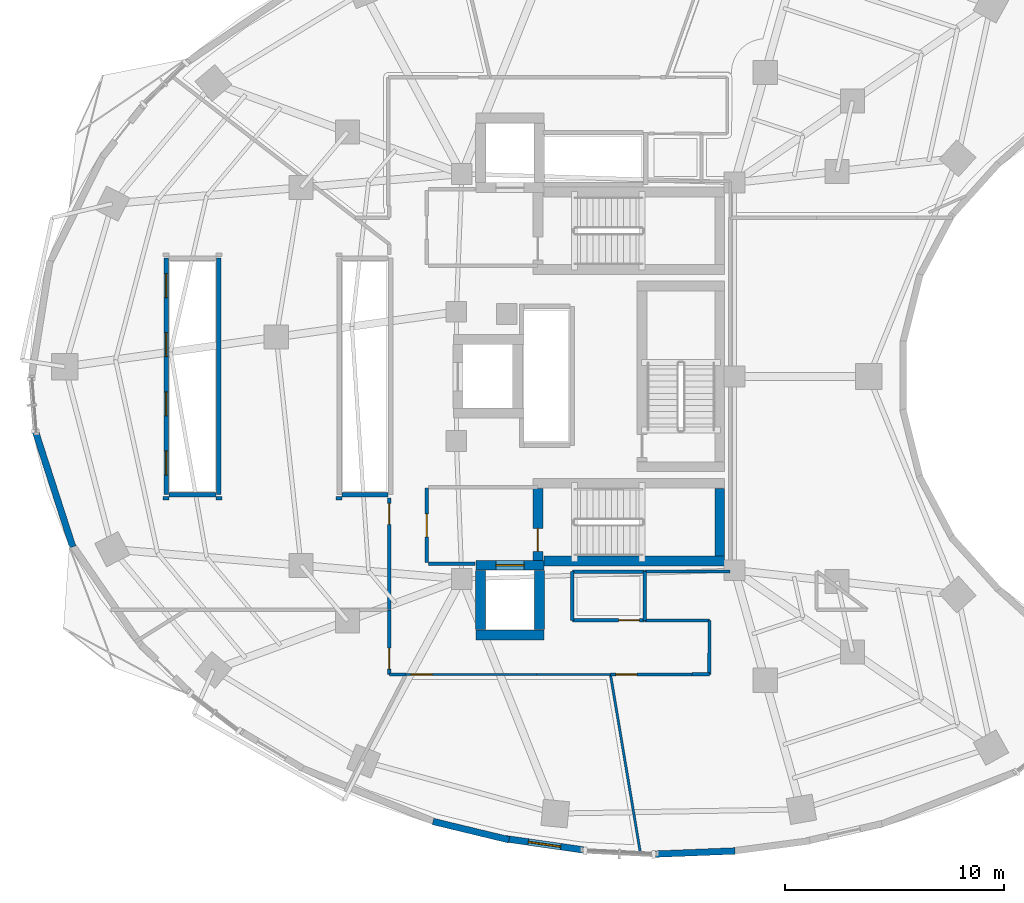
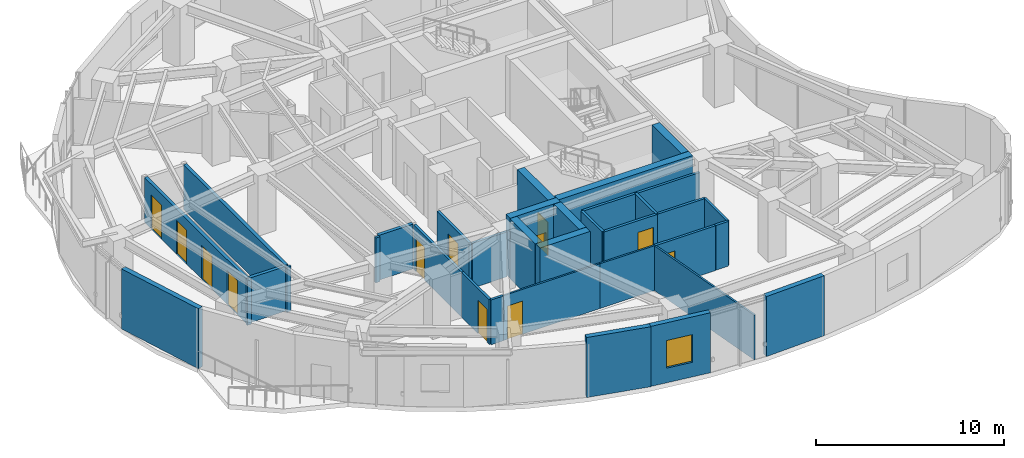
# One storey, part 8 of 14: 35 walls, 12 doors, 1 window, 13 openings.
"""IFC4 building model written with IfcOpenShell, lengths in metres."""

from ifc_helpers import new_model, si_unit, direction, frame, frame_2d, origin, place, context, subcontext, project, spatial, rectangle, extrude, material, layer, layer_set, type_object, element, fill, save


model = new_model("IFC4")

# Units and contexts
model_context = context("Model", 3, precision=1e-05, world=origin(), true_north=direction((0.0, 1.0)))
body_context = subcontext(model_context, "Body", "Model", "MODEL_VIEW")
ifc_project = project(units=[si_unit("LENGTHUNIT", "METRE"), si_unit("AREAUNIT", "SQUARE_METRE"), si_unit("VOLUMEUNIT", "CUBIC_METRE"), si_unit("PLANEANGLEUNIT", "RADIAN"), si_unit("MASSUNIT", "GRAM", prefix="KILO")], contexts=[model_context])

# Site, building, storey
site_placement = place(None, origin())
site = spatial("IfcSite", under=ifc_project, at=site_placement, CompositionType="ELEMENT")
building_placement = place(site_placement, origin())
building = spatial("IfcBuilding", under=site, at=building_placement, Name="Korentha Bioscience Tower", CompositionType="ELEMENT")
storey_placement = place(building_placement, frame((0.0, 0.0, 132.0)))
storey = spatial("IfcBuildingStorey", under=building, at=storey_placement, Name="L30", CompositionType="ELEMENT", Elevation=132.0)

# Wall, opening, door
ifc_material_1 = material(Name="Double-Stud Acoustic Gypsum", Category="gypsum")
ifc_layer_1 = layer(ifc_material_1, 0.14990234375, Name="Double-Stud Acoustic Gypsum")
ifc_layer_set_1 = layer_set([ifc_layer_1], Name="Double-Stud Acoustic Gypsum (IW-L150)")
wall_type_1 = type_object("IfcWallType", Name="Acoustic Laboratory Partition Wall 150", PredefinedType="PARTITIONING", material=ifc_layer_set_1)
wall_1_placement = place(storey_placement, frame((21.7900390625, 21.43994140625, 0.0), z_axis=(0.0, 0.0, 1.0), x_axis=(0.0, -1.0, 0.0)))
wall_1 = element("IfcWall", 1, at=wall_1_placement, inside=storey, type_object=wall_type_1, Name="L30 Biomechanical Motion Analysis Lab 01 Entrance Wall", PredefinedType="PARTITIONING", context=body_context, shape_type="SweptSolid", body=[
    extrude(rectangle(XDim=5.087890625, YDim=0.14990234375, at=frame_2d((2.5439453125, 0.0))), origin(), (0.0, 0.0, 1.0), 2.909912109375),
])
opening_1_placement = place(wall_1_placement, frame((0.239990234375, 0.0, 0.0)))
opening_1 = element("IfcOpeningElement", 2, at=opening_1_placement, cuts=wall_1, Name="Opening ID-10L", PredefinedType="OPENING", context=body_context, shape_type="SweptSolid", body=[
    extrude(rectangle(XDim=0.949951171875, YDim=2.14990234375, at=frame_2d((0.47509765625, 1.074951171875))), frame((0.0, 0.08984375, 0.0), z_axis=(0.0, -1.0, 0.0), x_axis=(1.0, 0.0, 0.0)), (0.0, 0.0, 1.0), 0.1796875),
])
ifc_material_2 = material(Name="Phenolic Laminate Timber Core", Category="wood")
door_type_1 = type_object("IfcDoorType", Name="Laboratory Single Leaf Door 950x2150 Left", OperationType="SINGLE_SWING_LEFT", PredefinedType="DOOR", material=ifc_material_2)
door_1_placement = place(opening_1_placement, origin())
door_1 = element("IfcDoor", 3, at=door_1_placement, inside=storey, type_object=door_type_1, Name="L30 Biomechanical Motion Analysis Lab 01 Door", OperationType="SINGLE_SWING_LEFT", OverallHeight=2.14990234375, OverallWidth=0.949951171875, PredefinedType="DOOR", context=body_context, shape_type="SweptSolid", body=[
    extrude(rectangle(XDim=0.949951171875, YDim=2.14990234375, at=frame_2d((0.47509765625, 1.074951171875))), frame((0.0, 0.02490234375, 0.0), z_axis=(0.0, -1.0, 0.0), x_axis=(1.0, 0.0, 0.0)), (0.0, 0.0, 1.0), 0.050048828125),
])
fill(opening_1, door_1)

wall_2_placement = place(storey_placement, frame((21.7900390625, 16.342041015625, 0.0), z_axis=(0.0, 0.0, 1.0), x_axis=(0.0, -1.0, 0.0)))
wall_2 = element("IfcWall", 4, at=wall_2_placement, inside=storey, type_object=wall_type_1, Name="L30 Principal Investigator Office 02 Entrance Wall", PredefinedType="PARTITIONING", context=body_context, shape_type="SweptSolid", body=[
    extrude(rectangle(XDim=2.942138671875, YDim=0.14990234375, at=frame_2d((1.47119140625, 0.0))), origin(), (0.0, 0.0, 1.0), 2.909912109375),
])
opening_2_placement = place(wall_2_placement, frame((1.751953125, 0.0, 0.0)))
opening_2 = element("IfcOpeningElement", 5, at=opening_2_placement, cuts=wall_2, Name="Opening ID-10R", PredefinedType="OPENING", context=body_context, shape_type="SweptSolid", body=[
    extrude(rectangle(XDim=0.949951171875, YDim=2.14990234375, at=frame_2d((0.47509765625, 1.074951171875))), frame((0.0, 0.08984375, 0.0), z_axis=(0.0, -1.0, 0.0), x_axis=(1.0, 0.0, 0.0)), (0.0, 0.0, 1.0), 0.1796875),
])
door_type_2 = type_object("IfcDoorType", Name="Laboratory Single Leaf Door 950x2150 Right", OperationType="SINGLE_SWING_RIGHT", PredefinedType="DOOR", material=ifc_material_2)
door_2_placement = place(opening_2_placement, origin())
door_2 = element("IfcDoor", 6, at=door_2_placement, inside=storey, type_object=door_type_2, Name="L30 Principal Investigator Office 02 Door", OperationType="SINGLE_SWING_RIGHT", OverallHeight=2.14990234375, OverallWidth=0.949951171875, PredefinedType="DOOR", context=body_context, shape_type="SweptSolid", body=[
    extrude(rectangle(XDim=0.949951171875, YDim=2.14990234375, at=frame_2d((0.47509765625, 1.074951171875))), frame((0.0, 0.02490234375, 0.0), z_axis=(0.0, -1.0, 0.0), x_axis=(1.0, 0.0, 0.0)), (0.0, 0.0, 1.0), 0.050048828125),
])
fill(opening_2, door_2)

wall_3_placement = place(storey_placement, frame((31.897705078125, 13.389892578125, 0.0), z_axis=(0.0, 0.0, 1.0), x_axis=(1.0, 0.0, 0.0)))
wall_3 = element("IfcWall", 7, at=wall_3_placement, inside=storey, type_object=wall_type_1, Name="L30 Staff Pantry Kitchenette 04 Entrance Wall", PredefinedType="PARTITIONING", context=body_context, shape_type="SweptSolid", body=[
    extrude(rectangle(XDim=3.702392578125, YDim=0.14990234375, at=frame_2d((1.85107421875, 0.0))), origin(), (0.0, 0.0, 1.0), 2.909912109375),
])
opening_3_placement = place(wall_3_placement, frame((0.239990234375, 0.0, 0.0)))
opening_3 = element("IfcOpeningElement", 8, at=opening_3_placement, cuts=wall_3, Name="Opening ID-10R", PredefinedType="OPENING", context=body_context, shape_type="SweptSolid", body=[
    extrude(rectangle(XDim=0.949951171875, YDim=2.14990234375, at=frame_2d((0.47509765625, 1.074951171875))), frame((0.0, 0.08984375, 0.0), z_axis=(0.0, -1.0, 0.0), x_axis=(1.0, 0.0, 0.0)), (0.0, 0.0, 1.0), 0.1796875),
])
door_3_placement = place(opening_3_placement, origin())
door_3 = element("IfcDoor", 9, at=door_3_placement, inside=storey, type_object=door_type_2, Name="L30 Staff Pantry Kitchenette 04 Door", OperationType="SINGLE_SWING_RIGHT", OverallHeight=2.14990234375, OverallWidth=0.949951171875, PredefinedType="DOOR", context=body_context, shape_type="SweptSolid", body=[
    extrude(rectangle(XDim=0.949951171875, YDim=2.14990234375, at=frame_2d((0.47509765625, 1.074951171875))), frame((0.0, 0.02490234375, 0.0), z_axis=(0.0, -1.0, 0.0), x_axis=(1.0, 0.0, 0.0)), (0.0, 0.0, 1.0), 0.050048828125),
])
fill(opening_3, door_3)

# Walls
for number, where, z_axis, x_axis, name in (
    (10, (19.35009765625, 21.43994140625, 0.0), (0.0, 0.0, 1.0), (1.0, 0.0, 0.0), "L30 Interior Partition 019"),
    (11, (11.449951171875, 21.43994140625, 0.0), (0.0, 0.0, 1.0), (1.0, 0.0, 0.0), "L30 Interior Partition 024"),
    (12, (13.8798828125, 21.43994140625, 0.0), (0.0, 0.0, 1.0), (1.0, 0.0, 0.0), "L30 Interior Partition 025"),
):
    element("IfcWall", number, at=place(storey_placement, frame(where, z_axis=z_axis, x_axis=x_axis)), inside=storey, type_object=wall_type_1, Name=name, PredefinedType="PARTITIONING", context=body_context, shape_type="SweptSolid", body=[
        extrude(rectangle(XDim=0.27001953125, YDim=0.14990234375, at=frame_2d((0.135009765625, 0.0))), origin(), (0.0, 0.0, 1.0), 2.909912109375),
    ])
wall_4_placement = place(storey_placement, frame((21.800048828125, 13.389892578125, 0.0), z_axis=(0.0, 0.0, 1.0), x_axis=(1.0, 0.0, 0.0)))
element("IfcWall", 13, at=wall_4_placement, inside=storey, type_object=wall_type_1, Name="L30 Interior Partition 027", PredefinedType="PARTITIONING", context=body_context, shape_type="SweptSolid", body=[
    extrude(rectangle(XDim=0.748046875, YDim=0.14990234375, at=frame_2d((0.3740234375, 0.0))), origin(), (0.0, 0.0, 1.0), 2.909912109375),
])
wall_5_placement = place(storey_placement, frame((35.610107421875, 13.39990234375, 0.0), z_axis=(0.0, 0.0, 1.0), x_axis=(1.0, 0.0, 0.0)))
element("IfcWall", 14, at=wall_5_placement, inside=storey, type_object=wall_type_1, Name="L30 Interior Partition 034", PredefinedType="PARTITIONING", context=body_context, shape_type="SweptSolid", body=[
    extrude(rectangle(XDim=0.789794921875, YDim=0.14990234375, at=frame_2d((0.39501953125, 0.0))), origin(), (0.0, 0.0, 1.0), 2.909912109375),
])
wall_6_placement = place(storey_placement, frame((36.39990234375, 13.39990234375, 0.0), z_axis=(0.0, 0.0, 1.0), x_axis=(0.004085258855, 0.999991655295, 0.0)))
element("IfcWall", 15, at=wall_6_placement, inside=storey, type_object=wall_type_1, Name="L30 Interior Partition 035", PredefinedType="PARTITIONING", context=body_context, shape_type="SweptSolid", body=[
    extrude(rectangle(XDim=2.4501953125, YDim=0.14990234375, at=frame_2d((1.22509765625, 0.0))), origin(), (0.0, 0.0, 1.0), 2.909912109375),
])
wall_7_placement = place(storey_placement, frame((36.39990234375, 15.860107421875, 0.0), z_axis=(0.0, 0.0, 1.0), x_axis=(-1.0, 0.0, 0.0)))
element("IfcWall", 16, at=wall_7_placement, inside=storey, type_object=wall_type_1, Name="L30 Interior Partition 036", PredefinedType="PARTITIONING", context=body_context, shape_type="SweptSolid", body=[
    extrude(rectangle(XDim=2.93994140625, YDim=0.14990234375, at=frame_2d((1.469970703125, 0.0))), origin(), (0.0, 0.0, 1.0), 2.909912109375),
])
wall_8_placement = place(storey_placement, frame((33.4599609375, 18.090087890625, 0.0), z_axis=(0.0, 0.0, 1.0), x_axis=(1.0, 0.0, 0.0)))
element("IfcWall", 17, at=wall_8_placement, inside=storey, type_object=wall_type_1, Name="L30 Interior Partition 037", PredefinedType="PARTITIONING", context=body_context, shape_type="SweptSolid", body=[
    extrude(rectangle(XDim=3.89013671875, YDim=0.14990234375, at=frame_2d((1.945068359375, 0.0))), origin(), (0.0, 0.0, 1.0), 2.909912109375),
])

# Wall, opening, door
ifc_material_3 = material(Name="Fire-Rated Framed Glass", Category="glass")
ifc_layer_2 = layer(ifc_material_3, 0.110107421875, Name="Fire-Rated Framed Glass")
ifc_layer_set_2 = layer_set([ifc_layer_2], Name="Fire-Rated Framed Glass (IW-G110)")
wall_type_2 = type_object("IfcWallType", Name="Demountable Glazed Office Partition 110", PredefinedType="MOVABLE", material=ifc_layer_set_2)
wall_9_placement = place(storey_placement, frame((22.557861328125, 13.389892578125, 0.0), z_axis=(0.0, 0.0, 1.0), x_axis=(1.0, 0.0, 0.0)))
wall_9 = element("IfcWall", 18, at=wall_9_placement, inside=storey, type_object=wall_type_2, Name="L30 Research Colloquium Seminar Room 03 Entrance Wall", PredefinedType="MOVABLE", context=body_context, shape_type="SweptSolid", body=[
    extrude(rectangle(XDim=5.942138671875, YDim=0.110107421875, at=frame_2d((2.97119140625, 0.0))), origin(), (0.0, 0.0, 1.0), 2.909912109375),
])
opening_4_placement = place(wall_9_placement, frame((0.239990234375, 0.0, 0.0)))
opening_4 = element("IfcOpeningElement", 19, at=opening_4_placement, cuts=wall_9, Name="Opening ID-10L", PredefinedType="OPENING", context=body_context, shape_type="SweptSolid", body=[
    extrude(rectangle(XDim=0.949951171875, YDim=2.14990234375, at=frame_2d((0.47509765625, 1.074951171875))), frame((0.0, 0.06982421875, 0.0), z_axis=(0.0, -1.0, 0.0), x_axis=(1.0, 0.0, 0.0)), (0.0, 0.0, 1.0), 0.139892578125),
])
door_4_placement = place(opening_4_placement, origin())
door_4 = element("IfcDoor", 20, at=door_4_placement, inside=storey, type_object=door_type_1, Name="L30 Research Colloquium Seminar Room 03 Door", OperationType="SINGLE_SWING_LEFT", OverallHeight=2.14990234375, OverallWidth=0.949951171875, PredefinedType="DOOR", context=body_context, shape_type="SweptSolid", body=[
    extrude(rectangle(XDim=0.949951171875, YDim=2.14990234375, at=frame_2d((0.47509765625, 1.074951171875))), frame((0.0, 0.02490234375, 0.0), z_axis=(0.0, -1.0, 0.0), x_axis=(1.0, 0.0, 0.0)), (0.0, 0.0, 1.0), 0.050048828125),
])
fill(opening_4, door_4)

# Walls
wall_10_placement = place(storey_placement, frame((28.5, 13.389892578125, 0.0), z_axis=(0.0, 0.0, 1.0), x_axis=(1.0, 0.0, 0.0)))
element("IfcWall", 21, at=wall_10_placement, inside=storey, type_object=wall_type_2, Name="L30 Interior Partition 029", PredefinedType="MOVABLE", context=body_context, shape_type="SweptSolid", body=[
    extrude(rectangle(XDim=3.3876953125, YDim=0.110107421875, at=frame_2d((1.69384765625, 0.0))), origin(), (0.0, 0.0, 1.0), 2.909912109375),
])
wall_11_placement = place(storey_placement, frame((31.8876953125, 13.389892578125, 0.0), z_axis=(0.0, 0.0, 1.0), x_axis=(0.165361828892, -0.986232967176, 0.0)))
element("IfcWall", 22, at=wall_11_placement, inside=storey, type_object=wall_type_2, Name="L30 Interior Partition 030", PredefinedType="MOVABLE", context=body_context, shape_type="SweptSolid", body=[
    extrude(rectangle(XDim=8.387451171875, YDim=0.110107421875, at=frame_2d((4.19384765625, 0.0))), origin(), (0.0, 0.0, 1.0), 2.909912109375),
])

# Wall, opening, door
ifc_material_4 = material(Name="Gypsum-Clad Steel Stud", Category="steel")
ifc_layer_3 = layer(ifc_material_4, 0.159912109375, Name="Gypsum-Clad Steel Stud")
ifc_layer_set_3 = layer_set([ifc_layer_3], Name="Gypsum-Clad Steel Stud (IW-C160)")
wall_type_3 = type_object("IfcWallType", Name="Fire-Rated Corridor Partition Wall 160", PredefinedType="PARTITIONING", material=ifc_layer_set_3)
wall_12_placement = place(storey_placement, frame((23.5, 18.5, 0.0), z_axis=(0.0, 0.0, 1.0), x_axis=(0.0, 1.0, 0.0)))
wall_12 = element("IfcWall", 23, at=wall_12_placement, inside=storey, type_object=wall_type_3, Name="L30 FFLS-CW Rated Enclosure Wall", PredefinedType="PARTITIONING", context=body_context, shape_type="SweptSolid", body=[
    extrude(rectangle(XDim=3.39990234375, YDim=0.159912109375, at=frame_2d((1.699951171875, 0.0))), origin(), (0.0, 0.0, 1.0), 2.909912109375),
])
opening_5_placement = place(wall_12_placement, frame((1.175048828125, 0.0, 0.0)))
opening_5 = element("IfcOpeningElement", 24, at=opening_5_placement, cuts=wall_12, Name="Opening FD-90L", PredefinedType="OPENING", context=body_context, shape_type="SweptSolid", body=[
    extrude(rectangle(XDim=1.050048828125, YDim=2.14990234375, at=frame_2d((0.52490234375, 1.074951171875))), frame((0.0, 0.0947265625, 0.0), z_axis=(0.0, -1.0, 0.0), x_axis=(1.0, 0.0, 0.0)), (0.0, 0.0, 1.0), 0.189697265625),
])
ifc_material_5 = material(Name="Powder-Coated Fire-Rated Steel", Category="steel")
door_type_3 = type_object("IfcDoorType", Name="Stairwell Fire Exit Door 1050x2150 Left", OperationType="SINGLE_SWING_LEFT", PredefinedType="DOOR", material=ifc_material_5)
door_5_placement = place(opening_5_placement, origin())
door_5 = element("IfcDoor", 25, at=door_5_placement, inside=storey, type_object=door_type_3, Name="L30 South Firefighting Lobby Door", OperationType="SINGLE_SWING_LEFT", OverallHeight=2.14990234375, OverallWidth=1.050048828125, PredefinedType="DOOR", context=body_context, shape_type="SweptSolid", body=[
    extrude(rectangle(XDim=1.050048828125, YDim=2.14990234375, at=frame_2d((0.52490234375, 1.074951171875))), frame((0.0, 0.02490234375, 0.0), z_axis=(0.0, -1.0, 0.0), x_axis=(1.0, 0.0, 0.0)), (0.0, 0.0, 1.0), 0.050048828125),
])
fill(opening_5, door_5)

# Wall
wall_13_placement = place(storey_placement, frame((23.580078125, 18.449951171875, 0.0), z_axis=(0.0, 0.0, 1.0), x_axis=(1.0, 0.0, 0.0)))
element("IfcWall", 26, at=wall_13_placement, inside=storey, type_object=wall_type_3, Name="L30 Firefighting Lobby Return Wall FFLS-S", PredefinedType="PARTITIONING", context=body_context, shape_type="SweptSolid", body=[
    extrude(rectangle(XDim=2.119873046875, YDim=0.159912109375, at=frame_2d((1.06005859375, 0.0))), origin(), (0.0, 0.0, 1.0), 2.909912109375),
])

# Wall, opening, door
wall_14_placement = place(storey_placement, frame((33.449951171875, 15.860107421875, 0.0), z_axis=(0.0, 0.0, 1.0), x_axis=(-1.0, 0.0, 0.0)))
wall_14 = element("IfcWall", 27, at=wall_14_placement, inside=storey, type_object=wall_type_3, Name="L30 Core Instrumentation and Gas Store Entrance Wall", PredefinedType="PARTITIONING", context=body_context, shape_type="SweptSolid", body=[
    extrude(rectangle(XDim=3.300048828125, YDim=0.159912109375, at=frame_2d((1.64990234375, 0.0))), origin(), (0.0, 0.0, 1.0), 2.909912109375),
])
opening_6_placement = place(wall_14_placement, frame((0.239990234375, 0.0, 0.0)))
opening_6 = element("IfcOpeningElement", 28, at=opening_6_placement, cuts=wall_14, Name="Opening ID-10L", PredefinedType="OPENING", context=body_context, shape_type="SweptSolid", body=[
    extrude(rectangle(XDim=0.949951171875, YDim=2.14990234375, at=frame_2d((0.47509765625, 1.074951171875))), frame((0.0, 0.0947265625, 0.0), z_axis=(0.0, -1.0, 0.0), x_axis=(1.0, 0.0, 0.0)), (0.0, 0.0, 1.0), 0.189697265625),
])
door_6_placement = place(opening_6_placement, origin())
door_6 = element("IfcDoor", 29, at=door_6_placement, inside=storey, type_object=door_type_1, Name="L30 Core Instrumentation and Gas Store Door", OperationType="SINGLE_SWING_LEFT", OverallHeight=2.14990234375, OverallWidth=0.949951171875, PredefinedType="DOOR", context=body_context, shape_type="SweptSolid", body=[
    extrude(rectangle(XDim=0.949951171875, YDim=2.14990234375, at=frame_2d((0.47509765625, 1.074951171875))), frame((0.0, 0.02490234375, 0.0), z_axis=(0.0, -1.0, 0.0), x_axis=(1.0, 0.0, 0.0)), (0.0, 0.0, 1.0), 0.050048828125),
])
fill(opening_6, door_6)

# Walls
wall_15_placement = place(storey_placement, frame((30.14990234375, 15.860107421875, 0.0), z_axis=(0.0, 0.0, 1.0), x_axis=(0.0, 1.0, 0.0)))
element("IfcWall", 30, at=wall_15_placement, inside=storey, type_object=wall_type_3, Name="L30 Interior Partition 010", PredefinedType="PARTITIONING", context=body_context, shape_type="SweptSolid", body=[
    extrude(rectangle(XDim=2.22998046875, YDim=0.159912109375, at=frame_2d((1.114990234375, 0.0))), origin(), (0.0, 0.0, 1.0), 2.909912109375),
])
wall_16_placement = place(storey_placement, frame((30.14990234375, 18.090087890625, 0.0), z_axis=(0.0, 0.0, 1.0), x_axis=(1.0, 0.0, 0.0)))
element("IfcWall", 31, at=wall_16_placement, inside=storey, type_object=wall_type_3, Name="L30 Interior Partition 011", PredefinedType="PARTITIONING", context=body_context, shape_type="SweptSolid", body=[
    extrude(rectangle(XDim=3.300048828125, YDim=0.159912109375, at=frame_2d((1.64990234375, 0.0))), origin(), (0.0, 0.0, 1.0), 2.909912109375),
])
wall_17_placement = place(storey_placement, frame((33.449951171875, 18.090087890625, 0.0), z_axis=(0.0, 0.0, 1.0), x_axis=(0.0, -1.0, 0.0)))
element("IfcWall", 32, at=wall_17_placement, inside=storey, type_object=wall_type_3, Name="L30 Interior Partition 012", PredefinedType="PARTITIONING", context=body_context, shape_type="SweptSolid", body=[
    extrude(rectangle(XDim=2.22998046875, YDim=0.159912109375, at=frame_2d((1.114990234375, 0.0))), origin(), (0.0, 0.0, 1.0), 2.909912109375),
])

# Wall, opening, window
ifc_material_6 = material(Name="Honed Limestone Precast Concrete C40", Category="masonry")
ifc_layer_4 = layer(ifc_material_6, 0.300048828125, Name="Honed Limestone Precast Concrete C40")
ifc_layer_set_4 = layer_set([ifc_layer_4], Name="Honed Limestone Precast Concrete C40 (EW-ST300)")
wall_type_4 = type_object("IfcWallType", Name="Honed Limestone Cavity Spandrel Wall 300", PredefinedType="STANDARD", material=ifc_layer_set_4)
wall_18_placement = place(storey_placement, frame((27.10595703125, 5.8916015625, 0.0), z_axis=(0.0, 0.0, 1.0), x_axis=(0.989740605239, -0.142875940389, 0.0)))
wall_18 = element("IfcWall", 33, at=wall_18_placement, inside=storey, type_object=wall_type_4, Name="L30 Honed Limestone Spandrel Wall 30", PredefinedType="STANDARD", context=body_context, shape_type="SweptSolid", body=[
    extrude(rectangle(XDim=3.5712890625, YDim=0.300048828125, at=frame_2d((1.78564453125, 0.0))), origin(), (0.0, 0.0, 1.0), 3.89990234375),
])
opening_7_placement = place(wall_18_placement, frame((1.03564453125, 0.0, 0.949951171875)))
opening_7 = element("IfcOpeningElement", 34, at=opening_7_placement, cuts=wall_18, Name="Opening WN-02", PredefinedType="OPENING", context=body_context, shape_type="SweptSolid", body=[
    extrude(rectangle(XDim=1.5, YDim=1.800048828125, at=frame_2d((0.75, 0.89990234375))), frame((0.0, 0.1650390625, 0.0), z_axis=(0.0, -1.0, 0.0), x_axis=(1.0, 0.0, 0.0)), (0.0, 0.0, 1.0), 0.329833984375),
])
ifc_material_7 = material(Name="Thermally Broken Aluminium Triple Glazing", Category="aluminium")
window_type = type_object("IfcWindowType", Name="Acoustic Operable Office Window 1500x1800", PartitioningType="DOUBLE_PANEL_VERTICAL", PredefinedType="WINDOW", material=ifc_material_7)
window_placement = place(opening_7_placement, origin())
window = element("IfcWindow", 35, at=window_placement, inside=storey, type_object=window_type, Name="L30 Facade Window 30", OverallHeight=1.800048828125, OverallWidth=1.5, PartitioningType="DOUBLE_PANEL_VERTICAL", PredefinedType="WINDOW", context=body_context, shape_type="SweptSolid", body=[
    extrude(rectangle(XDim=1.5, YDim=1.800048828125, at=frame_2d((0.75, 0.89990234375))), frame((0.0, 0.030029296875, 0.0), z_axis=(0.0, -1.0, 0.0), x_axis=(1.0, 0.0, 0.0)), (0.0, 0.0, 1.0), 0.06005859375),
])
fill(opening_7, window)

# Walls
wall_19_placement = place(storey_placement, frame((5.631591796875, 24.48681640625, 0.0), z_axis=(0.0, 0.0, 1.0), x_axis=(0.307599470659, -0.951515930319, 0.0)))
element("IfcWall", 36, at=wall_19_placement, inside=storey, type_object=wall_type_4, Name="L30 Limestone Perimeter Closure Wall 20", PredefinedType="STANDARD", context=body_context, shape_type="SweptSolid", body=[
    extrude(rectangle(XDim=5.534423828125, YDim=0.300048828125, at=frame_2d((2.76708984375, 0.0))), origin(), (0.0, 0.0, 1.0), 3.89990234375),
])
wall_20_placement = place(storey_placement, frame((23.7841796875, 6.679931640625, 0.0), z_axis=(0.0, 0.0, 1.0), x_axis=(0.972043452321, -0.234801036625, 0.0)))
element("IfcWall", 37, at=wall_20_placement, inside=storey, type_object=wall_type_4, Name="L30 Limestone Perimeter Closure Wall 29", PredefinedType="STANDARD", context=body_context, shape_type="SweptSolid", body=[
    extrude(rectangle(XDim=3.568603515625, YDim=0.300048828125, at=frame_2d((1.7841796875, 0.0))), origin(), (0.0, 0.0, 1.0), 3.89990234375),
])
wall_21_placement = place(storey_placement, frame((33.94189453125, 5.189453125, 0.0), z_axis=(0.0, 0.0, 1.0), x_axis=(0.999212076676, 0.039689114679, 0.0)))
element("IfcWall", 38, at=wall_21_placement, inside=storey, type_object=wall_type_4, Name="L30 Limestone Perimeter Closure Wall 32", PredefinedType="STANDARD", context=body_context, shape_type="SweptSolid", body=[
    extrude(rectangle(XDim=3.635498046875, YDim=0.300048828125, at=frame_2d((1.81787109375, 0.0))), origin(), (0.0, 0.0, 1.0), 3.89990234375),
])

# Wall, openings, doors
ifc_material_8 = material(Name="Autoclaved Aerated Concrete Block C25", Category="concrete")
ifc_layer_5 = layer(ifc_material_8, 0.199951171875, Name="Autoclaved Aerated Concrete Block C25")
ifc_layer_set_5 = layer_set([ifc_layer_5], Name="Autoclaved Aerated Concrete Block C25 (IW-S200)")
wall_type_5 = type_object("IfcWallType", Name="Lift and Riser Shaft Enclosure Wall 200", PredefinedType="PARTITIONING", material=ifc_layer_set_5)
wall_22_placement = place(storey_placement, frame((11.60009765625, 21.60009765625, 0.0), z_axis=(0.0, 0.0, 1.0), x_axis=(0.0, 1.0, 0.0)))
wall_22 = element("IfcWall", 39, at=wall_22_placement, inside=storey, type_object=wall_type_5, Name="L30 Lift Bank LOW Shaft Wall -X", PredefinedType="PARTITIONING", context=body_context, shape_type="SweptSolid", body=[
    extrude(rectangle(XDim=10.7998046875, YDim=0.199951171875, at=frame_2d((5.39990234375, 0.0))), origin(), (0.0, 0.0, 1.0), 2.909912109375),
])
opening_8_placement = place(wall_22_placement, frame((0.89990234375, 0.0, 0.0)))
opening_8 = element("IfcOpeningElement", 40, at=opening_8_placement, cuts=wall_22, Name="Opening LD-11", PredefinedType="OPENING", context=body_context, shape_type="SweptSolid", body=[
    extrude(rectangle(XDim=1.10009765625, YDim=2.199951171875, at=frame_2d((0.550048828125, 1.10009765625))), frame((0.0, 0.11474609375, 0.0), z_axis=(0.0, -1.0, 0.0), x_axis=(1.0, 0.0, 0.0)), (0.0, 0.0, 1.0), 0.229736328125),
])
opening_9_placement = place(wall_22_placement, frame((3.60009765625, 0.0, 0.0)))
opening_9 = element("IfcOpeningElement", 41, at=opening_9_placement, cuts=wall_22, Name="Opening LD-11", PredefinedType="OPENING", context=body_context, shape_type="SweptSolid", body=[
    extrude(rectangle(XDim=1.10009765625, YDim=2.199951171875, at=frame_2d((0.550048828125, 1.10009765625))), frame((0.0, 0.11474609375, 0.0), z_axis=(0.0, -1.0, 0.0), x_axis=(1.0, 0.0, 0.0)), (0.0, 0.0, 1.0), 0.229736328125),
])
opening_10_placement = place(wall_22_placement, frame((6.300048828125, 0.0, 0.0)))
opening_10 = element("IfcOpeningElement", 42, at=opening_10_placement, cuts=wall_22, Name="Opening LD-11", PredefinedType="OPENING", context=body_context, shape_type="SweptSolid", body=[
    extrude(rectangle(XDim=1.10009765625, YDim=2.199951171875, at=frame_2d((0.550048828125, 1.10009765625))), frame((0.0, 0.11474609375, 0.0), z_axis=(0.0, -1.0, 0.0), x_axis=(1.0, 0.0, 0.0)), (0.0, 0.0, 1.0), 0.229736328125),
])
opening_11_placement = place(wall_22_placement, frame((9.0, 0.0, 0.0)))
opening_11 = element("IfcOpeningElement", 43, at=opening_11_placement, cuts=wall_22, Name="Opening LD-11", PredefinedType="OPENING", context=body_context, shape_type="SweptSolid", body=[
    extrude(rectangle(XDim=1.10009765625, YDim=2.199951171875, at=frame_2d((0.550048828125, 1.10009765625))), frame((0.0, 0.11474609375, 0.0), z_axis=(0.0, -1.0, 0.0), x_axis=(1.0, 0.0, 0.0)), (0.0, 0.0, 1.0), 0.229736328125),
])
ifc_material_9 = material(Name="Brushed Stainless Steel 304", Category="steel")
door_type_4 = type_object("IfcDoorType", Name="Passenger Lift Sliding Landing Door 1100x2200", OperationType="DOUBLE_DOOR_SLIDING", PredefinedType="DOOR", material=ifc_material_9)
door_7_placement = place(opening_8_placement, origin())
door_7 = element("IfcDoor", 44, at=door_7_placement, inside=storey, type_object=door_type_4, Name="L30 PL-L1 Sliding Lift Landing Door", OperationType="DOUBLE_DOOR_SLIDING", OverallHeight=2.199951171875, OverallWidth=1.10009765625, PredefinedType="DOOR", context=body_context, shape_type="SweptSolid", body=[
    extrude(rectangle(XDim=1.10009765625, YDim=2.199951171875, at=frame_2d((0.550048828125, 1.10009765625))), frame((0.0, 0.02490234375, 0.0), z_axis=(0.0, -1.0, 0.0), x_axis=(1.0, 0.0, 0.0)), (0.0, 0.0, 1.0), 0.050048828125),
])
fill(opening_8, door_7)
door_8_placement = place(opening_9_placement, origin())
door_8 = element("IfcDoor", 45, at=door_8_placement, inside=storey, type_object=door_type_4, Name="L30 PL-L2 Sliding Lift Landing Door", OperationType="DOUBLE_DOOR_SLIDING", OverallHeight=2.199951171875, OverallWidth=1.10009765625, PredefinedType="DOOR", context=body_context, shape_type="SweptSolid", body=[
    extrude(rectangle(XDim=1.10009765625, YDim=2.199951171875, at=frame_2d((0.550048828125, 1.10009765625))), frame((0.0, 0.02490234375, 0.0), z_axis=(0.0, -1.0, 0.0), x_axis=(1.0, 0.0, 0.0)), (0.0, 0.0, 1.0), 0.050048828125),
])
fill(opening_9, door_8)
door_9_placement = place(opening_10_placement, origin())
door_9 = element("IfcDoor", 46, at=door_9_placement, inside=storey, type_object=door_type_4, Name="L30 PL-L3 Sliding Lift Landing Door", OperationType="DOUBLE_DOOR_SLIDING", OverallHeight=2.199951171875, OverallWidth=1.10009765625, PredefinedType="DOOR", context=body_context, shape_type="SweptSolid", body=[
    extrude(rectangle(XDim=1.10009765625, YDim=2.199951171875, at=frame_2d((0.550048828125, 1.10009765625))), frame((0.0, 0.02490234375, 0.0), z_axis=(0.0, -1.0, 0.0), x_axis=(1.0, 0.0, 0.0)), (0.0, 0.0, 1.0), 0.050048828125),
])
fill(opening_10, door_9)
door_10_placement = place(opening_11_placement, origin())
door_10 = element("IfcDoor", 47, at=door_10_placement, inside=storey, type_object=door_type_4, Name="L30 PL-L4 Sliding Lift Landing Door", OperationType="DOUBLE_DOOR_SLIDING", OverallHeight=2.199951171875, OverallWidth=1.10009765625, PredefinedType="DOOR", context=body_context, shape_type="SweptSolid", body=[
    extrude(rectangle(XDim=1.10009765625, YDim=2.199951171875, at=frame_2d((0.550048828125, 1.10009765625))), frame((0.0, 0.02490234375, 0.0), z_axis=(0.0, -1.0, 0.0), x_axis=(1.0, 0.0, 0.0)), (0.0, 0.0, 1.0), 0.050048828125),
])
fill(opening_11, door_10)

# Walls
wall_23_placement = place(storey_placement, frame((14.0, 21.60009765625, 0.0), z_axis=(0.0, 0.0, 1.0), x_axis=(0.0, 1.0, 0.0)))
element("IfcWall", 48, at=wall_23_placement, inside=storey, type_object=wall_type_5, Name="L30 Lift Bank LOW Shaft Wall +X", PredefinedType="PARTITIONING", context=body_context, shape_type="SweptSolid", body=[
    extrude(rectangle(XDim=10.7998046875, YDim=0.199951171875, at=frame_2d((5.39990234375, 0.0))), origin(), (0.0, 0.0, 1.0), 2.909912109375),
])
wall_24_placement = place(storey_placement, frame((11.719970703125, 21.60009765625, 0.0), z_axis=(0.0, 0.0, 1.0), x_axis=(1.0, 0.0, 0.0)))
element("IfcWall", 49, at=wall_24_placement, inside=storey, type_object=wall_type_5, Name="L30 Lift Bank LOW Shaft Wall -Y", PredefinedType="PARTITIONING", context=body_context, shape_type="SweptSolid", body=[
    extrude(rectangle(XDim=2.159912109375, YDim=0.199951171875, at=frame_2d((1.080078125, 0.0))), origin(), (0.0, 0.0, 1.0), 2.909912109375),
])
wall_25_placement = place(storey_placement, frame((19.6201171875, 21.60009765625, 0.0), z_axis=(0.0, 0.0, 1.0), x_axis=(1.0, 0.0, 0.0)))
element("IfcWall", 50, at=wall_25_placement, inside=storey, type_object=wall_type_5, Name="L30 Lift Bank MID Shaft Wall -Y", PredefinedType="PARTITIONING", context=body_context, shape_type="SweptSolid", body=[
    extrude(rectangle(XDim=2.10986328125, YDim=0.199951171875, at=frame_2d((1.054931640625, 0.0))), origin(), (0.0, 0.0, 1.0), 2.909912109375),
])
ifc_material_10 = material(Name="Concrete C80", Category="concrete")
ifc_layer_6 = layer(ifc_material_10, 0.449951171875, Name="Concrete C80")
ifc_layer_set_6 = layer_set([ifc_layer_6], Name="Concrete C80 (CW-C80)")
wall_type_6 = type_object("IfcWallType", Name="Lower Core Shear Wall 450", PredefinedType="SHEAR", material=ifc_layer_set_6)
wall_26_placement = place(storey_placement, frame((28.85205078125, 18.574951171875, 0.0), z_axis=(0.0, 0.0, 1.0), x_axis=(1.0, 0.0, 0.0)))
element("IfcWall", 51, at=wall_26_placement, inside=storey, type_object=wall_type_6, Name="L30 Core Shear Wall ST2-S", PredefinedType="SHEAR", context=body_context, shape_type="SweptSolid", body=[
    extrude(rectangle(XDim=8.248046875, YDim=0.449951171875, at=frame_2d((4.1240234375, 0.0))), origin(), (0.0, 0.0, 1.0), 3.89990234375),
])
wall_27_placement = place(storey_placement, frame((36.875, 18.81005859375, 0.0), z_axis=(0.0, 0.0, 1.0), x_axis=(0.0, 1.0, 0.0)))
element("IfcWall", 52, at=wall_27_placement, inside=storey, type_object=wall_type_6, Name="L30 Core Shear Wall ST2-E", PredefinedType="SHEAR", context=body_context, shape_type="SweptSolid", body=[
    extrude(rectangle(XDim=3.079833984375, YDim=0.449951171875, at=frame_2d((1.5400390625, 0.0))), origin(), (0.0, 0.0, 1.0), 3.89990234375),
])

# Wall, opening, door
wall_28_placement = place(storey_placement, frame((28.574951171875, 18.60693359375, 0.0), z_axis=(0.0, 0.0, 1.0), x_axis=(0.0, 1.0, 0.0)))
wall_28 = element("IfcWall", 53, at=wall_28_placement, inside=storey, type_object=wall_type_6, Name="L30 Core Shear Wall ST2-W", PredefinedType="SHEAR", context=body_context, shape_type="SweptSolid", body=[
    extrude(rectangle(XDim=3.282958984375, YDim=0.449951171875, at=frame_2d((1.6416015625, 0.0))), origin(), (0.0, 0.0, 1.0), 3.89990234375),
])
opening_12_placement = place(wall_28_placement, frame((0.403076171875, 0.0, 0.0)))
opening_12 = element("IfcOpeningElement", 54, at=opening_12_placement, cuts=wall_28, Name="Opening FD-90L", PredefinedType="OPENING", context=body_context, shape_type="SweptSolid", body=[
    extrude(rectangle(XDim=1.050048828125, YDim=2.14990234375, at=frame_2d((0.52490234375, 1.074951171875))), frame((0.0, 0.23974609375, 0.0), z_axis=(0.0, -1.0, 0.0), x_axis=(1.0, 0.0, 0.0)), (0.0, 0.0, 1.0), 0.479736328125),
])
door_11_placement = place(opening_12_placement, origin())
door_11 = element("IfcDoor", 55, at=door_11_placement, inside=storey, type_object=door_type_3, Name="L30 ST-2 Fire Exit Stair Door", OperationType="SINGLE_SWING_LEFT", OverallHeight=2.14990234375, OverallWidth=1.050048828125, PredefinedType="DOOR", context=body_context, shape_type="SweptSolid", body=[
    extrude(rectangle(XDim=1.050048828125, YDim=2.14990234375, at=frame_2d((0.52490234375, 1.074951171875))), frame((0.0, 0.02490234375, 0.0), z_axis=(0.0, -1.0, 0.0), x_axis=(1.0, 0.0, 0.0)), (0.0, 0.0, 1.0), 0.050048828125),
])
fill(opening_12, door_11)

# Wall
wall_29_placement = place(storey_placement, frame((25.75, 15.199951171875, 0.0), z_axis=(0.0, 0.0, 1.0), x_axis=(1.0, 0.0, 0.0)))
element("IfcWall", 56, at=wall_29_placement, inside=storey, type_object=wall_type_6, Name="L30 Core Shear Wall FFL1-S", PredefinedType="SHEAR", context=body_context, shape_type="SweptSolid", body=[
    extrude(rectangle(XDim=3.10009765625, YDim=0.449951171875, at=frame_2d((1.550048828125, 0.0))), origin(), (0.0, 0.0, 1.0), 3.89990234375),
])

# Wall, opening, door
wall_30_placement = place(storey_placement, frame((25.75, 18.3798828125, 0.0), z_axis=(0.0, 0.0, 1.0), x_axis=(1.0, 0.0, 0.0)))
wall_30 = element("IfcWall", 57, at=wall_30_placement, inside=storey, type_object=wall_type_6, Name="L30 Core Shear Wall FFL1-N", PredefinedType="SHEAR", context=body_context, shape_type="SweptSolid", body=[
    extrude(rectangle(XDim=3.10009765625, YDim=0.449951171875, at=frame_2d((1.550048828125, 0.0))), origin(), (0.0, 0.0, 1.0), 3.89990234375),
])
opening_13_placement = place(wall_30_placement, frame((0.89990234375, 0.0, 0.0)))
opening_13 = element("IfcOpeningElement", 58, at=opening_13_placement, cuts=wall_30, Name="Opening LD-13", PredefinedType="OPENING", context=body_context, shape_type="SweptSolid", body=[
    extrude(rectangle(XDim=1.300048828125, YDim=2.199951171875, at=frame_2d((0.64990234375, 1.10009765625))), frame((0.0, 0.23974609375, 0.0), z_axis=(0.0, -1.0, 0.0), x_axis=(1.0, 0.0, 0.0)), (0.0, 0.0, 1.0), 0.479736328125),
])
ifc_material_11 = material(Name="Brushed Stainless Steel 316", Category="steel")
door_type_5 = type_object("IfcDoorType", Name="Service & Firefighting Lift Landing Door 1300x2300", OperationType="DOUBLE_DOOR_SLIDING", PredefinedType="DOOR", material=ifc_material_11)
door_12_placement = place(opening_13_placement, origin())
door_12 = element("IfcDoor", 59, at=door_12_placement, inside=storey, type_object=door_type_5, Name="L30 FFL-1 Sliding Lift Landing Door", OperationType="DOUBLE_DOOR_SLIDING", OverallHeight=2.199951171875, OverallWidth=1.300048828125, PredefinedType="DOOR", context=body_context, shape_type="SweptSolid", body=[
    extrude(rectangle(XDim=1.300048828125, YDim=2.199951171875, at=frame_2d((0.64990234375, 1.10009765625))), frame((0.0, 0.02490234375, 0.0), z_axis=(0.0, -1.0, 0.0), x_axis=(1.0, 0.0, 0.0)), (0.0, 0.0, 1.0), 0.050048828125),
])
fill(opening_13, door_12)

# Walls
for number, where, z_axis, x_axis, name in (
    (60, (25.949951171875, 15.43994140625, 0.0), (0.0, 0.0, 1.0), (0.0, 1.0, 0.0), "L30 Core Shear Wall FFL1-W"),
    (61, (28.64990234375, 15.43994140625, 0.0), (0.0, 0.0, 1.0), (0.0, 1.0, 0.0), "L30 Core Shear Wall FFL1-E"),
):
    element("IfcWall", number, at=place(storey_placement, frame(where, z_axis=z_axis, x_axis=x_axis)), inside=storey, type_object=wall_type_6, Name=name, PredefinedType="SHEAR", context=body_context, shape_type="SweptSolid", body=[
        extrude(rectangle(XDim=2.699951171875, YDim=0.449951171875, at=frame_2d((1.35009765625, 0.0))), origin(), (0.0, 0.0, 1.0), 3.89990234375),
    ])

save(model, "model.ifc")
